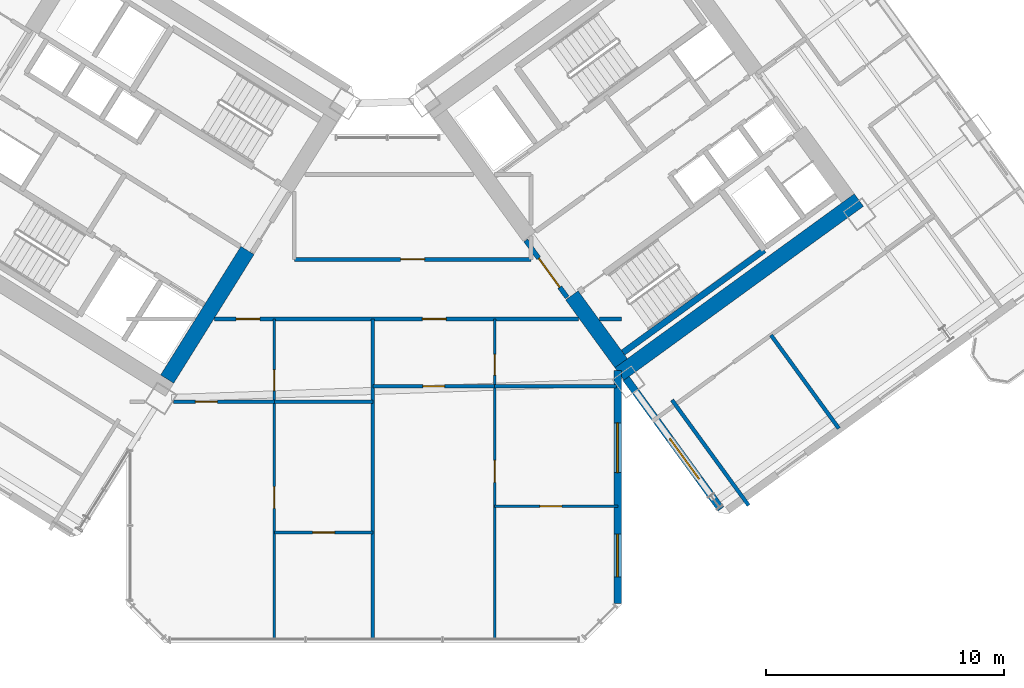
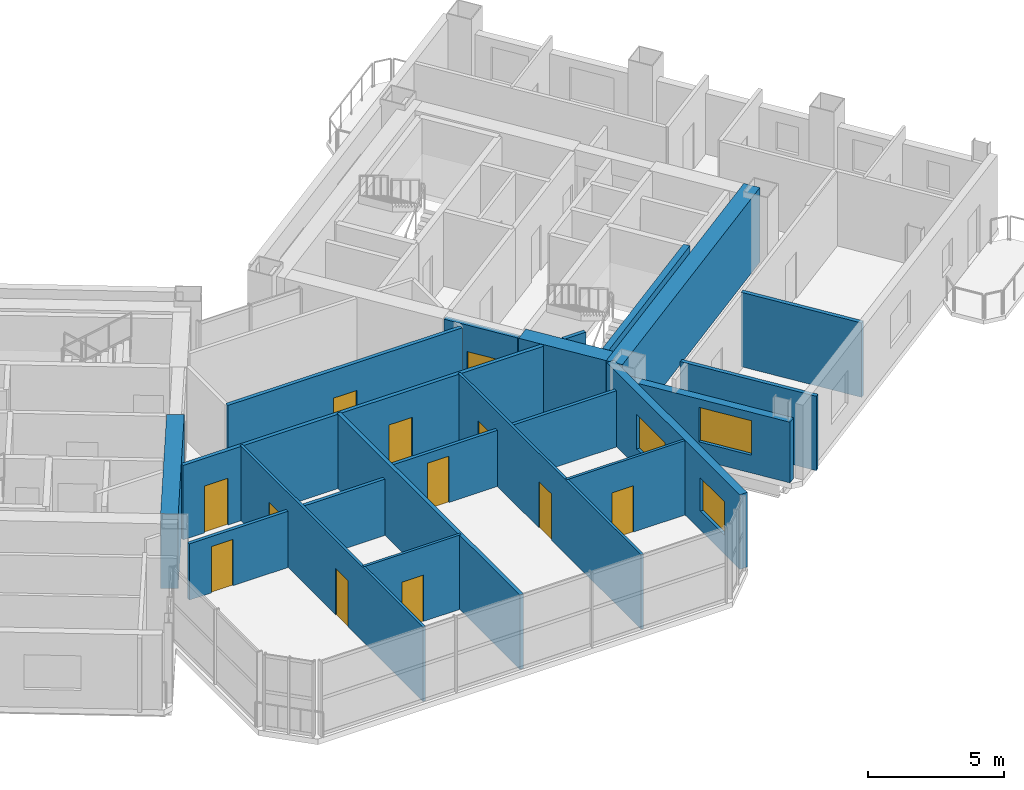
# One storey, part 17 of 24: 21 walls, 12 doors, 3 windows, 15 openings.
"""IFC4 building model written with IfcOpenShell, lengths in metres."""

from ifc_helpers import new_model, si_unit, direction, frame, frame_2d, origin, place, context, subcontext, project, spatial, rectangle, extrude, source, transform, mapped, material, layer, layer_set, type_object, element, fill, save


model = new_model("IFC4")

# Units and contexts
model_context = context("Model", 3, precision=1e-05, world=origin(), true_north=direction((0.0, 1.0)))
body_context = subcontext(model_context, "Body", "Model", "MODEL_VIEW")
ifc_project = project(units=[si_unit("LENGTHUNIT", "METRE"), si_unit("AREAUNIT", "SQUARE_METRE"), si_unit("VOLUMEUNIT", "CUBIC_METRE"), si_unit("PLANEANGLEUNIT", "RADIAN"), si_unit("MASSUNIT", "GRAM", prefix="KILO")], contexts=[model_context])

# Site, building, storey
site_placement = place(None, origin())
site = spatial("IfcSite", under=ifc_project, at=site_placement, CompositionType="ELEMENT")
building_placement = place(site_placement, origin())
building = spatial("IfcBuilding", under=site, at=building_placement, Name="Tlacorven Tower", CompositionType="ELEMENT")
storey_placement = place(building_placement, frame((0.0, 0.0, 60.0)))
storey = spatial("IfcBuildingStorey", under=building, at=storey_placement, Name="L15", CompositionType="ELEMENT", Elevation=60.0)

# Walls
ifc_material_1 = material(Name="Concrete C60/75", Category="concrete")
ifc_layer_1 = layer(ifc_material_1, 0.64990234375)
ifc_layer_set_1 = layer_set([ifc_layer_1], Name="Concrete C60/75")
wall_type_1 = type_object("IfcWallType", Name="WL-COR-650", PredefinedType="SHEAR", material=ifc_layer_set_1)
wall_1_placement = place(storey_placement, frame((36.683349609375, 18.30419921875, 0.0), z_axis=(0.0, 0.0, 1.0), x_axis=(-0.529899109053, -0.848060690178, 0.0)))
element("IfcWall", 1, at=wall_1_placement, inside=storey, type_object=wall_type_1, Name="L15 W core end wall E1.2", PredefinedType="SHEAR", context=body_context, shape_type="SweptSolid", body=[
    extrude(rectangle(XDim=6.375244140625, YDim=0.64990234375, at=frame_2d((3.1875, 0.0))), origin(), (0.0, 0.0, 1.0), 3.35009765625),
])
wall_2_placement = place(storey_placement, frame((52.318359375, 13.1103515625, 0.0), z_axis=(0.0, 0.0, 1.0), x_axis=(0.809019445368, 0.587781878776, 0.0)))
element("IfcWall", 2, at=wall_2_placement, inside=storey, type_object=wall_type_1, Name="L15 E core shear wall S1", PredefinedType="SHEAR", context=body_context, shape_type="SweptSolid", body=[
    extrude(rectangle(XDim=12.43994140625, YDim=0.64990234375, at=frame_2d((6.219970703125, 0.0))), origin(), (0.0, 0.0, 1.0), 3.35009765625),
])
wall_3_placement = place(storey_placement, frame((52.390380859375, 13.564208984375, 0.0), z_axis=(0.0, 0.0, 1.0), x_axis=(-0.58779688989, 0.809008539037, 0.0)))
element("IfcWall", 3, at=wall_3_placement, inside=storey, type_object=wall_type_1, Name="L15 E core end wall E1.1", PredefinedType="SHEAR", context=body_context, shape_type="SweptSolid", body=[
    extrude(rectangle(XDim=3.525146484375, YDim=0.64990234375, at=frame_2d((1.7626953125, 0.0))), origin(), (0.0, 0.0, 1.0), 3.35009765625),
])

# Wall, openings, doors
ifc_material_2 = material(Name="Gypsum plasterboard acoustic partition", Category="gypsum")
ifc_layer_2 = layer(ifc_material_2, 0.159912109375)
ifc_layer_set_2 = layer_set([ifc_layer_2], Name="Gypsum plasterboard acoustic partition")
wall_type_2 = type_object("IfcWallType", Name="WL-DEM-160", PredefinedType="PARTITIONING", material=ifc_layer_set_2)
wall_4_placement = place(storey_placement, frame((35.29638671875, 15.419921875, 0.0), z_axis=(0.0, 0.0, 1.0), x_axis=(1.0, 0.0, 0.0)))
wall_4 = element("IfcWall", 4, at=wall_4_placement, inside=storey, type_object=wall_type_2, Name="L15 Knuckle Corridor South Wall", PredefinedType="PARTITIONING", context=body_context, shape_type="SweptSolid", body=[
    extrude(rectangle(XDim=15.310546875, YDim=0.159912109375, at=frame_2d((7.6552734375, 0.0))), origin(), (0.0, 0.0, 1.0), 3.340087890625),
])
opening_1_placement = place(wall_4_placement, frame((0.91015625, 0.0, 0.0)))
opening_1 = element("IfcOpeningElement", 5, at=opening_1_placement, cuts=wall_4, Name="Opening D11", PredefinedType="OPENING", context=body_context, shape_type="SweptSolid", body=[
    extrude(rectangle(XDim=1.0, YDim=2.10009765625, at=frame_2d((0.5, 1.050048828125))), frame((0.0, 0.08984375, 0.0), z_axis=(0.0, -1.0, 0.0), x_axis=(1.0, 0.0, 0.0)), (0.0, 0.0, 1.0), 0.179931640625),
])
opening_2_placement = place(wall_4_placement, frame((8.73974609375, 0.0, 0.0)))
opening_2 = element("IfcOpeningElement", 6, at=opening_2_placement, cuts=wall_4, Name="Opening D11", PredefinedType="OPENING", context=body_context, shape_type="SweptSolid", body=[
    extrude(rectangle(XDim=1.0, YDim=2.10009765625, at=frame_2d((0.5, 1.050048828125))), frame((0.0, 0.08984375, 0.0), z_axis=(0.0, -1.0, 0.0), x_axis=(1.0, 0.0, 0.0)), (0.0, 0.0, 1.0), 0.179931640625),
])
ifc_material_3 = material(Name="Fire-rated steel door assembly", Category="steel")
door_type_1 = type_object("IfcDoorType", Name="DR-FLT-FD60-1000", OperationType="NOTDEFINED", PredefinedType="DOOR", material=ifc_material_3)
shared_shape_1 = source(origin(), body_context, "Body", "SweptSolid", [
    extrude(rectangle(XDim=1.0, YDim=2.10009765625, at=frame_2d((0.5, 1.050048828125))), frame((0.0, 0.02490234375, 0.0), z_axis=(0.0, -1.0, 0.0), x_axis=(1.0, 0.0, 0.0)), (0.0, 0.0, 1.0), 0.050048828125),
])
door_1_placement = place(opening_1_placement, frame((1.0, 0.0, 0.0), z_axis=(0.0, 0.0, 1.0), x_axis=(-1.0, 0.0, 0.0)))
door_1 = element("IfcDoor", 7, at=door_1_placement, inside=storey, type_object=door_type_1, Name="L15 door 045", OperationType="SINGLE_SWING_RIGHT", OverallHeight=2.10009765625, OverallWidth=1.0, PredefinedType="DOOR", context=body_context, shape_type="MappedRepresentation", body=[
    mapped(shared_shape_1, transform((0.0, 0.0, 0.0), scale=1.0)),
])
fill(opening_1, door_1)
door_2_placement = place(opening_2_placement, frame((1.0, 0.0, 0.0), z_axis=(0.0, 0.0, 1.0), x_axis=(-1.0, 0.0, 0.0)))
door_2 = element("IfcDoor", 8, at=door_2_placement, inside=storey, type_object=door_type_1, Name="L15 door 050", OperationType="SINGLE_SWING_LEFT", OverallHeight=2.10009765625, OverallWidth=1.0, PredefinedType="DOOR", context=body_context, shape_type="MappedRepresentation", body=[
    mapped(shared_shape_1, transform((0.0, 0.0, 0.0), scale=1.0)),
])
fill(opening_2, door_2)

# Wall
wall_5_placement = place(storey_placement, frame((51.477294921875, 15.419921875, 0.0), z_axis=(0.0, 0.0, 1.0), x_axis=(1.0, 0.0, 0.0)))
element("IfcWall", 9, at=wall_5_placement, inside=storey, type_object=wall_type_2, Name="L15 Knuckle Corridor South Wall", PredefinedType="PARTITIONING", context=body_context, shape_type="SweptSolid", body=[
    extrude(rectangle(XDim=0.922607421875, YDim=0.159912109375, at=frame_2d((0.46142578125, 0.0))), origin(), (0.0, 0.0, 1.0), 3.340087890625),
])

# Wall, opening, door
wall_6_placement = place(storey_placement, frame((38.64990234375, 17.929931640625, 0.0), z_axis=(0.0, 0.0, 1.0), x_axis=(1.0, 0.0, 0.0)))
wall_6 = element("IfcWall", 10, at=wall_6_placement, inside=storey, type_object=wall_type_2, Name="L15 partition 74", PredefinedType="PARTITIONING", context=body_context, shape_type="SweptSolid", body=[
    extrude(rectangle(XDim=9.9501953125, YDim=0.159912109375, at=frame_2d((4.97509765625, 0.0))), origin(), (0.0, 0.0, 1.0), 3.340087890625),
])
opening_3_placement = place(wall_6_placement, frame((4.47509765625, 0.0, 0.0)))
opening_3 = element("IfcOpeningElement", 11, at=opening_3_placement, cuts=wall_6, Name="Opening D11", PredefinedType="OPENING", context=body_context, shape_type="SweptSolid", body=[
    extrude(rectangle(XDim=1.0, YDim=2.10009765625, at=frame_2d((0.5, 1.050048828125))), frame((0.0, 0.08984375, 0.0), z_axis=(0.0, -1.0, 0.0), x_axis=(1.0, 0.0, 0.0)), (0.0, 0.0, 1.0), 0.179931640625),
])
door_3_placement = place(opening_3_placement, origin())
door_3 = element("IfcDoor", 12, at=door_3_placement, inside=storey, type_object=door_type_1, Name="L15 door 040", OperationType="SINGLE_SWING_LEFT", OverallHeight=2.10009765625, OverallWidth=1.0, PredefinedType="DOOR", context=body_context, shape_type="MappedRepresentation", body=[
    mapped(shared_shape_1, transform((0.0, 0.0, 0.0), scale=1.0)),
])
fill(opening_3, door_3)

# Walls
wall_7_placement = place(storey_placement, frame((41.949951171875, 1.9599609375, 0.0), z_axis=(0.0, 0.0, 1.0), x_axis=(0.0, 1.0, 0.0)))
element("IfcWall", 13, at=wall_7_placement, inside=storey, type_object=wall_type_2, Name="L15 Knuckle Demising Wall 1", PredefinedType="PARTITIONING", context=body_context, shape_type="SweptSolid", body=[
    extrude(rectangle(XDim=13.4599609375, YDim=0.159912109375, at=frame_2d((6.72998046875, 0.0))), origin(), (0.0, 0.0, 1.0), 3.340087890625),
])
wall_8_placement = place(storey_placement, frame((57.747314453125, 7.586181640625, 0.0), z_axis=(0.0, 0.0, 1.0), x_axis=(-0.587784893399, 0.809017255126, 0.0)))
element("IfcWall", 14, at=wall_8_placement, inside=storey, type_object=wall_type_2, Name="L15 EC West Throat Wall", PredefinedType="PARTITIONING", context=body_context, shape_type="SweptSolid", body=[
    extrude(rectangle(XDim=5.480224609375, YDim=0.159912109375, at=frame_2d((2.740234375, 0.0))), origin(), (0.0, 0.0, 1.0), 3.340087890625),
])
wall_9_placement = place(storey_placement, frame((61.538818359375, 10.822998046875, 0.0), z_axis=(0.0, 0.0, 1.0), x_axis=(-0.587785532001, 0.809016791155, 0.0)))
element("IfcWall", 15, at=wall_9_placement, inside=storey, type_object=wall_type_2, Name="L15 EC Demising Wall 1", PredefinedType="PARTITIONING", context=body_context, shape_type="SweptSolid", body=[
    extrude(rectangle(XDim=4.85009765625, YDim=0.159912109375, at=frame_2d((2.425048828125, 0.0))), origin(), (0.0, 0.0, 1.0), 3.340087890625),
])

# Wall, opening, window
ifc_material_4 = material(Name="Precast concrete C45/55", Category="concrete")
ifc_layer_3 = layer(ifc_material_4, 0.320068359375)
ifc_layer_set_3 = layer_set([ifc_layer_3], Name="Precast concrete C45/55")
wall_type_3 = type_object("IfcWallType", Name="WL-EXT-320", PredefinedType="STANDARD", material=ifc_layer_set_3)
wall_10_placement = place(storey_placement, frame((56.5810546875, 7.43896484375, 0.0), z_axis=(0.0, 0.0, 1.0), x_axis=(-0.587785875463, 0.809016541614, 0.0)))
wall_10 = element("IfcWall", 16, at=wall_10_placement, inside=storey, type_object=wall_type_3, Name="L15 Masonry-Frame Recessed Facade Wall 7", PredefinedType="STANDARD", context=body_context, shape_type="SweptSolid", body=[
    extrude(rectangle(XDim=6.773681640625, YDim=0.320068359375, at=frame_2d((3.38671875, 0.0))), origin(), (0.0, 0.0, 1.0), 2.72509765625),
])
opening_4_placement = place(wall_10_placement, frame((1.55615234375, 0.0, 0.800048828125)))
opening_4 = element("IfcOpeningElement", 17, at=opening_4_placement, cuts=wall_10, Name="Opening WN04", PredefinedType="OPENING", context=body_context, shape_type="SweptSolid", body=[
    extrude(rectangle(XDim=2.10009765625, YDim=1.550048828125, at=frame_2d((1.050048828125, 0.77490234375))), frame((0.0, 0.169921875, 0.0), z_axis=(0.0, -1.0, 0.0), x_axis=(1.0, 0.0, 0.0)), (0.0, 0.0, 1.0), 0.340087890625),
])
ifc_material_5 = material(Name="Dark solar low-E double glazing in anodised aluminium frame", Category="aluminium")
window_type_1 = type_object("IfcWindowType", Name="WN-APT-2100X1750", PartitioningType="SINGLE_PANEL", PredefinedType="WINDOW", material=ifc_material_5)
shared_shape_2 = source(origin(), body_context, "Body", "SweptSolid", [
    extrude(rectangle(XDim=2.10009765625, YDim=1.550048828125, at=frame_2d((1.050048828125, 0.77490234375))), frame((0.0, 0.030029296875, 0.0), z_axis=(0.0, -1.0, 0.0), x_axis=(1.0, 0.0, 0.0)), (0.0, 0.0, 1.0), 0.06005859375),
])
window_1_placement = place(opening_4_placement, origin())
window_1 = element("IfcWindow", 18, at=window_1_placement, inside=storey, type_object=window_type_1, Name="L15 Recessed Masonry-Frame Window L15-07.1", OverallHeight=1.550048828125, OverallWidth=2.10009765625, PartitioningType="SINGLE_PANEL", PredefinedType="WINDOW", context=body_context, shape_type="MappedRepresentation", body=[
    mapped(shared_shape_2, transform((0.0, 0.0, 0.0), scale=1.0)),
])
fill(opening_4, window_1)

# Wall, openings, windows
wall_11_placement = place(storey_placement, frame((52.239990234375, 13.260986328125, 0.0), z_axis=(0.0, 0.0, 1.0), x_axis=(0.0, -1.0, 0.0)))
wall_11 = element("IfcWall", 19, at=wall_11_placement, inside=storey, type_object=wall_type_3, Name="L15 Masonry-Frame Recessed Facade Wall 8", PredefinedType="STANDARD", context=body_context, shape_type="SweptSolid", body=[
    extrude(rectangle(XDim=9.794677734375, YDim=0.320068359375, at=frame_2d((4.8974609375, 0.0))), origin(), (0.0, 0.0, 1.0), 3.35009765625),
])
opening_5_placement = place(wall_11_placement, frame((2.199462890625, 0.0, 0.800048828125)))
opening_5 = element("IfcOpeningElement", 20, at=opening_5_placement, cuts=wall_11, Name="Opening WN04", PredefinedType="OPENING", context=body_context, shape_type="SweptSolid", body=[
    extrude(rectangle(XDim=2.10009765625, YDim=1.550048828125, at=frame_2d((1.050048828125, 0.77490234375))), frame((0.0, 0.169921875, 0.0), z_axis=(0.0, -1.0, 0.0), x_axis=(1.0, 0.0, 0.0)), (0.0, 0.0, 1.0), 0.340087890625),
])
opening_6_placement = place(wall_11_placement, frame((6.880126953125, 0.0, 0.85009765625)))
opening_6 = element("IfcOpeningElement", 21, at=opening_6_placement, cuts=wall_11, Name="Opening WN01", PredefinedType="OPENING", context=body_context, shape_type="SweptSolid", body=[
    extrude(rectangle(XDim=1.800048828125, YDim=1.5, at=frame_2d((0.89990234375, 0.75))), frame((0.0, 0.169921875, 0.0), z_axis=(0.0, -1.0, 0.0), x_axis=(1.0, 0.0, 0.0)), (0.0, 0.0, 1.0), 0.340087890625),
])
window_2_placement = place(opening_5_placement, origin())
window_2 = element("IfcWindow", 22, at=window_2_placement, inside=storey, type_object=window_type_1, Name="L15 Recessed Masonry-Frame Window L15-08.1", OverallHeight=1.550048828125, OverallWidth=2.10009765625, PartitioningType="SINGLE_PANEL", PredefinedType="WINDOW", context=body_context, shape_type="MappedRepresentation", body=[
    mapped(shared_shape_2, transform((0.0, 0.0, 0.0), scale=1.0)),
])
fill(opening_5, window_2)
window_type_2 = type_object("IfcWindowType", Name="WN-APT-1800X1650", PartitioningType="SINGLE_PANEL", PredefinedType="WINDOW", material=ifc_material_5)
shared_shape_3 = source(origin(), body_context, "Body", "SweptSolid", [
    extrude(rectangle(XDim=1.800048828125, YDim=1.5, at=frame_2d((0.89990234375, 0.75))), frame((0.0, 0.030029296875, 0.0), z_axis=(0.0, -1.0, 0.0), x_axis=(1.0, 0.0, 0.0)), (0.0, 0.0, 1.0), 0.06005859375),
])
window_3_placement = place(opening_6_placement, origin())
window_3 = element("IfcWindow", 23, at=window_3_placement, inside=storey, type_object=window_type_2, Name="L15 Recessed Masonry-Frame Window L15-08.2", OverallHeight=1.5, OverallWidth=1.800048828125, PartitioningType="SINGLE_PANEL", PredefinedType="WINDOW", context=body_context, shape_type="MappedRepresentation", body=[
    mapped(shared_shape_3, transform((0.0, 0.0, 0.0), scale=1.0)),
])
fill(opening_6, window_3)

# Wall, openings, doors
ifc_material_6 = material(Name="Gypsum plasterboard partition", Category="gypsum")
ifc_layer_4 = layer(ifc_material_6, 0.110107421875)
ifc_layer_set_4 = layer_set([ifc_layer_4], Name="Gypsum plasterboard partition")
wall_type_4 = type_object("IfcWallType", Name="WL-INT-110", PredefinedType="PARTITIONING", material=ifc_layer_set_4)
wall_12_placement = place(storey_placement, frame((37.81298828125, 1.9599609375, 0.0), z_axis=(0.0, 0.0, 1.0), x_axis=(0.0, 1.0, 0.0)))
wall_12 = element("IfcWall", 24, at=wall_12_placement, inside=storey, type_object=wall_type_4, Name="L15 partition 80", PredefinedType="PARTITIONING", context=body_context, shape_type="SweptSolid", body=[
    extrude(rectangle(XDim=13.4599609375, YDim=0.110107421875, at=frame_2d((6.72998046875, 0.0))), origin(), (0.0, 0.0, 1.0), 3.340087890625),
])
opening_7_placement = place(wall_12_placement, frame((5.5, 0.0, 0.0)))
opening_7 = element("IfcOpeningElement", 25, at=opening_7_placement, cuts=wall_12, Name="Opening D12", PredefinedType="OPENING", context=body_context, shape_type="SweptSolid", body=[
    extrude(rectangle(XDim=0.919921875, YDim=2.080078125, at=frame_2d((0.4599609375, 1.0400390625))), frame((0.0, 0.06494140625, 0.0), z_axis=(0.0, -1.0, 0.0), x_axis=(1.0, 0.0, 0.0)), (0.0, 0.0, 1.0), 0.130126953125),
])
opening_8_placement = place(wall_12_placement, frame((10.449951171875, 0.0, 0.0)))
opening_8 = element("IfcOpeningElement", 26, at=opening_8_placement, cuts=wall_12, Name="Opening D13", PredefinedType="OPENING", context=body_context, shape_type="SweptSolid", body=[
    extrude(rectangle(XDim=0.8798828125, YDim=2.080078125, at=frame_2d((0.43994140625, 1.0400390625))), frame((0.0, 0.06494140625, 0.0), z_axis=(0.0, -1.0, 0.0), x_axis=(1.0, 0.0, 0.0)), (0.0, 0.0, 1.0), 0.130126953125),
])
ifc_material_7 = material(Name="Powder-coated aluminium and timber door", Category="wood")
door_type_2 = type_object("IfcDoorType", Name="DR-INT-WET-0880", OperationType="NOTDEFINED", PredefinedType="DOOR", material=ifc_material_7)
shared_shape_4 = source(origin(), body_context, "Body", "SweptSolid", [
    extrude(rectangle(XDim=0.8798828125, YDim=2.080078125, at=frame_2d((0.43994140625, 1.0400390625))), frame((0.0, 0.02490234375, 0.0), z_axis=(0.0, -1.0, 0.0), x_axis=(1.0, 0.0, 0.0)), (0.0, 0.0, 1.0), 0.050048828125),
])
door_4_placement = place(opening_8_placement, origin())
door_4 = element("IfcDoor", 27, at=door_4_placement, inside=storey, type_object=door_type_2, Name="L15 door 047", OperationType="SINGLE_SWING_RIGHT", OverallHeight=2.080078125, OverallWidth=0.8798828125, PredefinedType="DOOR", context=body_context, shape_type="MappedRepresentation", body=[
    mapped(shared_shape_4, transform((0.0, 0.0, 0.0), scale=1.0)),
])
fill(opening_8, door_4)
door_type_3 = type_object("IfcDoorType", Name="DR-INT-ROOM-0920", OperationType="NOTDEFINED", PredefinedType="DOOR", material=ifc_material_7)
shared_shape_5 = source(origin(), body_context, "Body", "SweptSolid", [
    extrude(rectangle(XDim=0.919921875, YDim=2.080078125, at=frame_2d((0.4599609375, 1.0400390625))), frame((0.0, 0.02490234375, 0.0), z_axis=(0.0, -1.0, 0.0), x_axis=(1.0, 0.0, 0.0)), (0.0, 0.0, 1.0), 0.050048828125),
])
door_5_placement = place(opening_7_placement, origin())
door_5 = element("IfcDoor", 28, at=door_5_placement, inside=storey, type_object=door_type_3, Name="L15 door 043", OperationType="SINGLE_SWING_RIGHT", OverallHeight=2.080078125, OverallWidth=0.919921875, PredefinedType="DOOR", context=body_context, shape_type="MappedRepresentation", body=[
    mapped(shared_shape_5, transform((0.0, 0.0, 0.0), scale=1.0)),
])
fill(opening_7, door_5)

# Wall, opening, door
wall_13_placement = place(storey_placement, frame((37.81298828125, 6.449951171875, 0.0), z_axis=(0.0, 0.0, 1.0), x_axis=(1.0, 0.0, 0.0)))
wall_13 = element("IfcWall", 29, at=wall_13_placement, inside=storey, type_object=wall_type_4, Name="L15 partition 83", PredefinedType="PARTITIONING", context=body_context, shape_type="SweptSolid", body=[
    extrude(rectangle(XDim=4.136962890625, YDim=0.110107421875, at=frame_2d((2.068359375, 0.0))), origin(), (0.0, 0.0, 1.0), 3.340087890625),
])
opening_9_placement = place(wall_13_placement, frame((1.6083984375, 0.0, 0.0)))
opening_9 = element("IfcOpeningElement", 30, at=opening_9_placement, cuts=wall_13, Name="Opening D12", PredefinedType="OPENING", context=body_context, shape_type="SweptSolid", body=[
    extrude(rectangle(XDim=0.919921875, YDim=2.080078125, at=frame_2d((0.4599609375, 1.0400390625))), frame((0.0, 0.06494140625, 0.0), z_axis=(0.0, -1.0, 0.0), x_axis=(1.0, 0.0, 0.0)), (0.0, 0.0, 1.0), 0.130126953125),
])
door_6_placement = place(opening_9_placement, origin())
door_6 = element("IfcDoor", 31, at=door_6_placement, inside=storey, type_object=door_type_3, Name="L15 door 044", OperationType="SINGLE_SWING_LEFT", OverallHeight=2.080078125, OverallWidth=0.919921875, PredefinedType="DOOR", context=body_context, shape_type="MappedRepresentation", body=[
    mapped(shared_shape_5, transform((0.0, 0.0, 0.0), scale=1.0)),
])
fill(opening_9, door_6)

# Wall, openings, doors
wall_14_placement = place(storey_placement, frame((47.072021484375, 1.9599609375, 0.0), z_axis=(0.0, 0.0, 1.0), x_axis=(0.0, 1.0, 0.0)))
wall_14 = element("IfcWall", 32, at=wall_14_placement, inside=storey, type_object=wall_type_4, Name="L15 partition 84", PredefinedType="PARTITIONING", context=body_context, shape_type="SweptSolid", body=[
    extrude(rectangle(XDim=13.4599609375, YDim=0.110107421875, at=frame_2d((6.72998046875, 0.0))), origin(), (0.0, 0.0, 1.0), 3.340087890625),
])
opening_10_placement = place(wall_14_placement, frame((6.60009765625, 0.0, 0.0)))
opening_10 = element("IfcOpeningElement", 33, at=opening_10_placement, cuts=wall_14, Name="Opening D12", PredefinedType="OPENING", context=body_context, shape_type="SweptSolid", body=[
    extrude(rectangle(XDim=0.919921875, YDim=2.080078125, at=frame_2d((0.4599609375, 1.0400390625))), frame((0.0, 0.06494140625, 0.0), z_axis=(0.0, -1.0, 0.0), x_axis=(1.0, 0.0, 0.0)), (0.0, 0.0, 1.0), 0.130126953125),
])
opening_11_placement = place(wall_14_placement, frame((11.10009765625, 0.0, 0.0)))
opening_11 = element("IfcOpeningElement", 34, at=opening_11_placement, cuts=wall_14, Name="Opening D13", PredefinedType="OPENING", context=body_context, shape_type="SweptSolid", body=[
    extrude(rectangle(XDim=0.8798828125, YDim=2.080078125, at=frame_2d((0.43994140625, 1.0400390625))), frame((0.0, 0.06494140625, 0.0), z_axis=(0.0, -1.0, 0.0), x_axis=(1.0, 0.0, 0.0)), (0.0, 0.0, 1.0), 0.130126953125),
])
door_7_placement = place(opening_11_placement, origin())
door_7 = element("IfcDoor", 35, at=door_7_placement, inside=storey, type_object=door_type_2, Name="L15 door 052", OperationType="SINGLE_SWING_LEFT", OverallHeight=2.080078125, OverallWidth=0.8798828125, PredefinedType="DOOR", context=body_context, shape_type="MappedRepresentation", body=[
    mapped(shared_shape_4, transform((0.0, 0.0, 0.0), scale=1.0)),
])
fill(opening_11, door_7)
door_8_placement = place(opening_10_placement, origin())
door_8 = element("IfcDoor", 36, at=door_8_placement, inside=storey, type_object=door_type_3, Name="L15 door 048", OperationType="SINGLE_SWING_LEFT", OverallHeight=2.080078125, OverallWidth=0.919921875, PredefinedType="DOOR", context=body_context, shape_type="MappedRepresentation", body=[
    mapped(shared_shape_5, transform((0.0, 0.0, 0.0), scale=1.0)),
])
fill(opening_10, door_8)

# Wall, opening, door
wall_15_placement = place(storey_placement, frame((47.072021484375, 7.550048828125, 0.0), z_axis=(0.0, 0.0, 1.0), x_axis=(1.0, 0.0, 0.0)))
wall_15 = element("IfcWall", 37, at=wall_15_placement, inside=storey, type_object=wall_type_4, Name="L15 partition 87", PredefinedType="PARTITIONING", context=body_context, shape_type="SweptSolid", body=[
    extrude(rectangle(XDim=5.18798828125, YDim=0.110107421875, at=frame_2d((2.593994140625, 0.0))), origin(), (0.0, 0.0, 1.0), 3.340087890625),
])
opening_12_placement = place(wall_15_placement, frame((1.904052734375, 0.0, 0.0)))
opening_12 = element("IfcOpeningElement", 38, at=opening_12_placement, cuts=wall_15, Name="Opening D12", PredefinedType="OPENING", context=body_context, shape_type="SweptSolid", body=[
    extrude(rectangle(XDim=0.919921875, YDim=2.080078125, at=frame_2d((0.4599609375, 1.0400390625))), frame((0.0, 0.06494140625, 0.0), z_axis=(0.0, -1.0, 0.0), x_axis=(1.0, 0.0, 0.0)), (0.0, 0.0, 1.0), 0.130126953125),
])
door_9_placement = place(opening_12_placement, origin())
door_9 = element("IfcDoor", 39, at=door_9_placement, inside=storey, type_object=door_type_3, Name="L15 door 049", OperationType="SINGLE_SWING_RIGHT", OverallHeight=2.080078125, OverallWidth=0.919921875, PredefinedType="DOOR", context=body_context, shape_type="MappedRepresentation", body=[
    mapped(shared_shape_5, transform((0.0, 0.0, 0.0), scale=1.0)),
])
fill(opening_12, door_9)

ifc_material_8 = material(Name="Moisture-resistant gypsum plumbing wall", Category="gypsum")
ifc_layer_5 = layer(ifc_material_8, 0.139892578125)
ifc_layer_set_5 = layer_set([ifc_layer_5], Name="Moisture-resistant gypsum plumbing wall")
wall_type_5 = type_object("IfcWallType", Name="WL-PLM-140", PredefinedType="PLUMBINGWALL", material=ifc_layer_set_5)
wall_16_placement = place(storey_placement, frame((33.564453125, 11.949951171875, 0.0), z_axis=(0.0, 0.0, 1.0), x_axis=(1.0, 0.0, 0.0)))
wall_16 = element("IfcWall", 40, at=wall_16_placement, inside=storey, type_object=wall_type_5, Name="L15 partition 81", PredefinedType="PLUMBINGWALL", context=body_context, shape_type="SweptSolid", body=[
    extrude(rectangle(XDim=4.24853515625, YDim=0.139892578125, at=frame_2d((2.124267578125, 0.0))), origin(), (0.0, 0.0, 1.0), 2.52490234375),
])
opening_13_placement = place(wall_16_placement, frame((0.93212890625, 0.0, 0.0)))
opening_13 = element("IfcOpeningElement", 41, at=opening_13_placement, cuts=wall_16, Name="Opening D12", PredefinedType="OPENING", context=body_context, shape_type="SweptSolid", body=[
    extrude(rectangle(XDim=0.919921875, YDim=2.080078125, at=frame_2d((0.4599609375, 1.0400390625))), frame((0.0, 0.080078125, 0.0), z_axis=(0.0, -1.0, 0.0), x_axis=(1.0, 0.0, 0.0)), (0.0, 0.0, 1.0), 0.159912109375),
])
door_10_placement = place(opening_13_placement, frame((0.919921875, 0.0, 0.0), z_axis=(0.0, 0.0, 1.0), x_axis=(-1.0, 0.0, 0.0)))
door_10 = element("IfcDoor", 42, at=door_10_placement, inside=storey, type_object=door_type_3, Name="L15 door 046", OperationType="SINGLE_SWING_LEFT", OverallHeight=2.080078125, OverallWidth=0.919921875, PredefinedType="DOOR", context=body_context, shape_type="MappedRepresentation", body=[
    mapped(shared_shape_5, transform((0.0, 0.0, 0.0), scale=1.0)),
])
fill(opening_13, door_10)

# Wall
wall_17_placement = place(storey_placement, frame((37.81298828125, 11.949951171875, 0.0), z_axis=(0.0, 0.0, 1.0), x_axis=(1.0, 0.0, 0.0)))
element("IfcWall", 43, at=wall_17_placement, inside=storey, type_object=wall_type_5, Name="L15 partition 82", PredefinedType="PLUMBINGWALL", context=body_context, shape_type="SweptSolid", body=[
    extrude(rectangle(XDim=4.136962890625, YDim=0.139892578125, at=frame_2d((2.068359375, 0.0))), origin(), (0.0, 0.0, 1.0), 2.52490234375),
])

# Wall, opening, door
wall_18_placement = place(storey_placement, frame((41.949951171875, 12.60009765625, 0.0), z_axis=(0.0, 0.0, 1.0), x_axis=(1.0, 0.0, 0.0)))
wall_18 = element("IfcWall", 44, at=wall_18_placement, inside=storey, type_object=wall_type_5, Name="L15 partition 85", PredefinedType="PLUMBINGWALL", context=body_context, shape_type="SweptSolid", body=[
    extrude(rectangle(XDim=5.1220703125, YDim=0.139892578125, at=frame_2d((2.56103515625, 0.0))), origin(), (0.0, 0.0, 1.0), 2.52490234375),
])
opening_14_placement = place(wall_18_placement, frame((2.10107421875, 0.0, 0.0)))
opening_14 = element("IfcOpeningElement", 45, at=opening_14_placement, cuts=wall_18, Name="Opening D12", PredefinedType="OPENING", context=body_context, shape_type="SweptSolid", body=[
    extrude(rectangle(XDim=0.919921875, YDim=2.080078125, at=frame_2d((0.4599609375, 1.0400390625))), frame((0.0, 0.080078125, 0.0), z_axis=(0.0, -1.0, 0.0), x_axis=(1.0, 0.0, 0.0)), (0.0, 0.0, 1.0), 0.159912109375),
])
door_11_placement = place(opening_14_placement, frame((0.919921875, 0.0, 0.0), z_axis=(0.0, 0.0, 1.0), x_axis=(-1.0, 0.0, 0.0)))
door_11 = element("IfcDoor", 46, at=door_11_placement, inside=storey, type_object=door_type_3, Name="L15 door 051", OperationType="SINGLE_SWING_RIGHT", OverallHeight=2.080078125, OverallWidth=0.919921875, PredefinedType="DOOR", context=body_context, shape_type="MappedRepresentation", body=[
    mapped(shared_shape_5, transform((0.0, 0.0, 0.0), scale=1.0)),
])
fill(opening_14, door_11)

# Wall
wall_19_placement = place(storey_placement, frame((47.072021484375, 12.60009765625, 0.0), z_axis=(0.0, 0.0, 1.0), x_axis=(1.0, 0.0, 0.0)))
element("IfcWall", 47, at=wall_19_placement, inside=storey, type_object=wall_type_5, Name="L15 partition 86", PredefinedType="PLUMBINGWALL", context=body_context, shape_type="SweptSolid", body=[
    extrude(rectangle(XDim=5.12646484375, YDim=0.139892578125, at=frame_2d((2.563232421875, 0.0))), origin(), (0.0, 0.0, 1.0), 2.52490234375),
])

# Wall, opening, door
ifc_material_9 = material(Name="Concrete C40/50", Category="concrete")
ifc_layer_6 = layer(ifc_material_9, 0.199951171875)
ifc_layer_set_6 = layer_set([ifc_layer_6], Name="Concrete C40/50")
wall_type_6 = type_object("IfcWallType", Name="WL-SHF-200", PredefinedType="STANDARD", material=ifc_layer_set_6)
wall_20_placement = place(storey_placement, frame((50.119140625, 16.3330078125, 0.0), z_axis=(0.0, 0.0, 1.0), x_axis=(-0.587749856981, 0.809042709391, 0.0)))
wall_20 = element("IfcWall", 48, at=wall_20_placement, inside=storey, type_object=wall_type_6, Name="L15 partition 78", PredefinedType="STANDARD", context=body_context, shape_type="SweptSolid", body=[
    extrude(rectangle(XDim=2.9599609375, YDim=0.199951171875, at=frame_2d((1.47998046875, 0.0))), origin(), (0.0, 0.0, 1.0), 3.340087890625),
])
opening_15_placement = place(wall_20_placement, frame((0.530029296875, 0.0, 0.0)))
opening_15 = element("IfcOpeningElement", 49, at=opening_15_placement, cuts=wall_20, Name="Opening D10", PredefinedType="OPENING", context=body_context, shape_type="SweptSolid", body=[
    extrude(rectangle(XDim=1.5, YDim=2.14990234375, at=frame_2d((0.75, 1.074951171875))), frame((0.0, 0.10986328125, 0.0), z_axis=(0.0, -1.0, 0.0), x_axis=(1.0, 0.0, 0.0)), (0.0, 0.0, 1.0), 0.219970703125),
])
door_type_4 = type_object("IfcDoorType", Name="DR-LOB-FD60-1500", OperationType="DOUBLE_DOOR_SINGLE_SWING", PredefinedType="DOOR", material=ifc_material_3)
shared_shape_6 = source(origin(), body_context, "Body", "SweptSolid", [
    extrude(rectangle(XDim=1.5, YDim=2.14990234375, at=frame_2d((0.75, 1.074951171875))), frame((0.0, 0.02490234375, 0.0), z_axis=(0.0, -1.0, 0.0), x_axis=(1.0, 0.0, 0.0)), (0.0, 0.0, 1.0), 0.050048828125),
])
door_12_placement = place(opening_15_placement, frame((1.5, 0.0, 0.0), z_axis=(0.0, 0.0, 1.0), x_axis=(-1.0, 0.0, 0.0)))
door_12 = element("IfcDoor", 50, at=door_12_placement, inside=storey, type_object=door_type_4, Name="L15 door 042", OperationType="DOUBLE_DOOR_SINGLE_SWING", OverallHeight=2.14990234375, OverallWidth=1.5, PredefinedType="DOOR", context=body_context, shape_type="MappedRepresentation", body=[
    mapped(shared_shape_6, transform((0.0, 0.0, 0.0), scale=1.0)),
])
fill(opening_15, door_12)

# Wall
ifc_material_10 = material(Name="Concrete C50/60", Category="concrete")
ifc_layer_7 = layer(ifc_material_10, 0.260009765625)
ifc_layer_set_7 = layer_set([ifc_layer_7], Name="Concrete C50/60")
wall_type_7 = type_object("IfcWallType", Name="WL-STW-260", PredefinedType="SHEAR", material=ifc_layer_set_7)
wall_21_placement = place(storey_placement, frame((52.47216796875, 14.01318359375, 0.0), z_axis=(0.0, 0.0, 1.0), x_axis=(0.809028366311, 0.587769599847, 0.0)))
element("IfcWall", 51, at=wall_21_placement, inside=storey, type_object=wall_type_7, Name="L15 Stair E2 Far Shear Wall", PredefinedType="SHEAR", context=body_context, shape_type="SweptSolid", body=[
    extrude(rectangle(XDim=7.330078125, YDim=0.260009765625, at=frame_2d((3.6650390625, 0.0))), origin(), (0.0, 0.0, 1.0), 3.35009765625),
])

save(model, "model.ifc")
